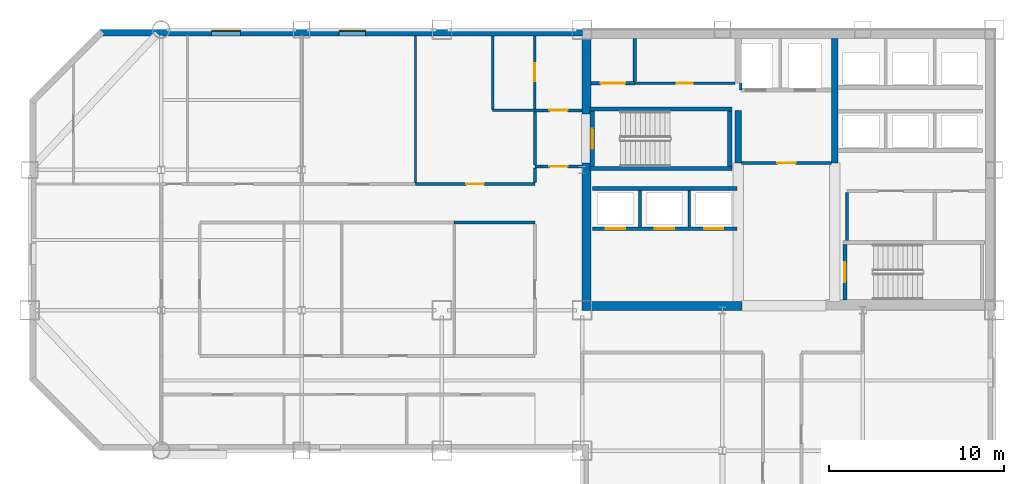
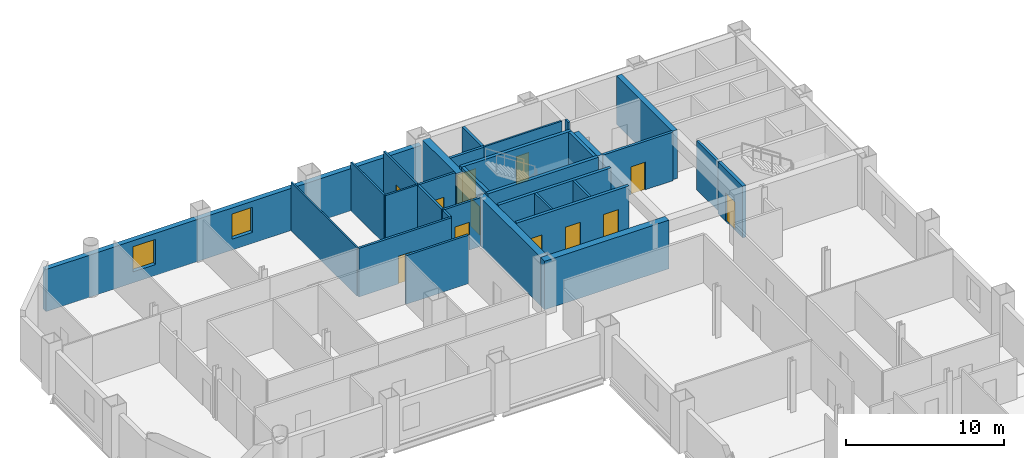
# One storey, part 7 of 10: 31 walls, 12 doors, 2 windows, 14 openings.
"""IFC4 building model written with IfcOpenShell, lengths in metres."""

from ifc_helpers import new_model, si_unit, direction, frame, frame_2d, origin, place, context, subcontext, project, spatial, rectangle, extrude, material, layer, layer_set, type_object, element, fill, save


model = new_model("IFC4")

# Units and contexts
model_context = context("Model", 3, precision=1e-05, world=origin(), true_north=direction((0.0, 1.0)))
body_context = subcontext(model_context, "Body", "Model", "MODEL_VIEW")
ifc_project = project(units=[si_unit("LENGTHUNIT", "METRE"), si_unit("AREAUNIT", "SQUARE_METRE"), si_unit("VOLUMEUNIT", "CUBIC_METRE"), si_unit("PLANEANGLEUNIT", "RADIAN"), si_unit("MASSUNIT", "GRAM", prefix="KILO")], contexts=[model_context])

# Site, building, storey
site_placement = place(None, origin())
site = spatial("IfcSite", under=ifc_project, at=site_placement, CompositionType="ELEMENT")
building_placement = place(site_placement, origin())
building = spatial("IfcBuilding", under=site, at=building_placement, Name="Qianrong Seaharbour Tower", CompositionType="ELEMENT")
storey_placement = place(building_placement, frame((0.0, 0.0, 179.0)))
storey = spatial("IfcBuildingStorey", under=building, at=storey_placement, Name="L43", CompositionType="ELEMENT", Elevation=179.0)

# Walls
ifc_material_1 = material(Name="Concrete C60/75", Category="concrete")
ifc_layer_1 = layer(ifc_material_1, 0.5)
ifc_layer_set_1 = layer_set([ifc_layer_1], Name="Concrete C60/75")
wall_type_1 = type_object("IfcWallType", Name="WALL-CORE-500", PredefinedType="SHEAR", material=ifc_layer_set_1)
wall_1_placement = place(storey_placement, frame((40.75, 36.5, 0.0), z_axis=(0.0, 0.0, 1.0), x_axis=(0.0, 1.0, 0.0)))
element("IfcWall", 1, at=wall_1_placement, inside=storey, type_object=wall_type_1, Name="L43 West Core Shear Wall South", PredefinedType="SHEAR", context=body_context, shape_type="SweptSolid", body=[
    extrude(rectangle(XDim=7.89990234375, YDim=0.5, at=frame_2d((3.949951171875, 0.0))), origin(), (0.0, 0.0, 1.0), 3.764892578125),
])
wall_2_placement = place(storey_placement, frame((40.75, 47.199951171875, 0.0), z_axis=(0.0, 0.0, 1.0), x_axis=(0.0, 1.0, 0.0)))
element("IfcWall", 2, at=wall_2_placement, inside=storey, type_object=wall_type_1, Name="L43 West Core Shear Wall North", PredefinedType="SHEAR", context=body_context, shape_type="SweptSolid", body=[
    extrude(rectangle(XDim=4.300048828125, YDim=0.5, at=frame_2d((2.14990234375, 0.0))), origin(), (0.0, 0.0, 1.0), 3.764892578125),
])
wall_3_placement = place(storey_placement, frame((40.5, 36.25, 0.0), z_axis=(0.0, 0.0, 1.0), x_axis=(1.0, 0.0, 0.0)))
element("IfcWall", 3, at=wall_3_placement, inside=storey, type_object=wall_type_1, Name="L43 South Core Shear Wall S1", PredefinedType="SHEAR", context=body_context, shape_type="SweptSolid", body=[
    extrude(rectangle(XDim=9.10009765625, YDim=0.5, at=frame_2d((4.550048828125, 0.0))), origin(), (0.0, 0.0, 1.0), 3.764892578125),
])
ifc_layer_2 = layer(ifc_material_1, 0.3798828125)
ifc_layer_set_2 = layer_set([ifc_layer_2], Name="Concrete C60/75")
wall_type_2 = type_object("IfcWallType", Name="WALL-CORE-INT-380", PredefinedType="SHEAR", material=ifc_layer_set_2)
wall_4_placement = place(storey_placement, frame((49.39990234375, 44.39990234375, 0.0), z_axis=(0.0, 0.0, 1.0), x_axis=(0.0, 1.0, 0.0)))
element("IfcWall", 4, at=wall_4_placement, inside=storey, type_object=wall_type_2, Name="L43 Internal Core Shear Wall IW1N1", PredefinedType="SHEAR", context=body_context, shape_type="SweptSolid", body=[
    extrude(rectangle(XDim=3.0, YDim=0.3798828125, at=frame_2d((1.5, 0.0))), origin(), (0.0, 0.0, 1.0), 3.764892578125),
])
wall_5_placement = place(storey_placement, frame((54.89990234375, 44.39990234375, 0.0), z_axis=(0.0, 0.0, 1.0), x_axis=(0.0, 1.0, 0.0)))
element("IfcWall", 5, at=wall_5_placement, inside=storey, type_object=wall_type_2, Name="L43 Internal Core Shear Wall IW2N", PredefinedType="SHEAR", context=body_context, shape_type="SweptSolid", body=[
    extrude(rectangle(XDim=7.10009765625, YDim=0.3798828125, at=frame_2d((3.550048828125, 0.0))), origin(), (0.0, 0.0, 1.0), 3.764892578125),
])

# Wall, opening, door
ifc_material_2 = material(Name="Fire-rated acoustic gypsum board partition")
ifc_layer_3 = layer(ifc_material_2, 0.1650390625)
ifc_layer_set_3 = layer_set([ifc_layer_3], Name="Fire-rated acoustic gypsum board partition")
wall_type_3 = type_object("IfcWallType", Name="WALL-CORR-PART-165", PredefinedType="PARTITIONING", material=ifc_layer_set_3)
wall_6_placement = place(storey_placement, frame((37.800048828125, 47.39990234375, 0.0), z_axis=(0.0, 0.0, 1.0), x_axis=(1.0, 0.0, 0.0)))
wall_6 = element("IfcWall", 6, at=wall_6_placement, inside=storey, type_object=wall_type_3, Name="L43 Interior Partition Wall 001", PredefinedType="PARTITIONING", context=body_context, shape_type="SweptSolid", body=[
    extrude(rectangle(XDim=2.699951171875, YDim=0.1650390625, at=frame_2d((1.35009765625, 0.0))), origin(), (0.0, 0.0, 1.0), 3.764892578125),
])
opening_1_placement = place(wall_6_placement, frame((0.824951171875, 0.0, 0.0)))
opening_1 = element("IfcOpeningElement", 7, at=opening_1_placement, cuts=wall_6, Name="Opening DC-01", PredefinedType="OPENING", context=body_context, shape_type="SweptSolid", body=[
    extrude(rectangle(XDim=1.050048828125, YDim=2.14990234375, at=frame_2d((0.52490234375, 1.074951171875))), frame((0.0, 0.092529296875, 0.0), z_axis=(0.0, -1.0, 0.0), x_axis=(1.0, 0.0, 0.0)), (0.0, 0.0, 1.0), 0.18505859375),
])
ifc_material_3 = material(Name="Acoustic timber and galvanized steel fire door assembly", Category="steel")
door_type_1 = type_object("IfcDoorType", Name="DOOR-CORR-FD60-1050x2150", OperationType="NOTDEFINED", PredefinedType="DOOR", material=ifc_material_3)
door_1_placement = place(opening_1_placement, origin())
door_1 = element("IfcDoor", 8, at=door_1_placement, inside=storey, type_object=door_type_1, Name="L43 Smokeproof Stair Vestibule ST-1 Door", OperationType="SINGLE_SWING_LEFT", OverallHeight=2.14990234375, OverallWidth=1.050048828125, PredefinedType="DOOR", context=body_context, shape_type="SweptSolid", body=[
    extrude(rectangle(XDim=1.050048828125, YDim=2.14990234375, at=frame_2d((0.52490234375, 1.074951171875))), frame((0.0, 0.02490234375, 0.0), z_axis=(0.0, -1.0, 0.0), x_axis=(1.0, 0.0, 0.0)), (0.0, 0.0, 1.0), 0.050048828125),
])
fill(opening_1, door_1)

wall_7_placement = place(storey_placement, frame((40.5, 44.199951171875, 0.0), z_axis=(0.0, 0.0, 1.0), x_axis=(-1.0, 0.0, 0.0)))
wall_7 = element("IfcWall", 9, at=wall_7_placement, inside=storey, type_object=wall_type_3, Name="L43 Interior Partition Wall 002", PredefinedType="PARTITIONING", context=body_context, shape_type="SweptSolid", body=[
    extrude(rectangle(XDim=2.699951171875, YDim=0.1650390625, at=frame_2d((1.35009765625, 0.0))), origin(), (0.0, 0.0, 1.0), 3.764892578125),
])
opening_2_placement = place(wall_7_placement, frame((0.824951171875, 0.0, 0.0)))
opening_2 = element("IfcOpeningElement", 10, at=opening_2_placement, cuts=wall_7, Name="Opening DC-01", PredefinedType="OPENING", context=body_context, shape_type="SweptSolid", body=[
    extrude(rectangle(XDim=1.050048828125, YDim=2.14990234375, at=frame_2d((0.52490234375, 1.074951171875))), frame((0.0, 0.092529296875, 0.0), z_axis=(0.0, -1.0, 0.0), x_axis=(1.0, 0.0, 0.0)), (0.0, 0.0, 1.0), 0.18505859375),
])
door_2_placement = place(opening_2_placement, origin())
door_2 = element("IfcDoor", 11, at=door_2_placement, inside=storey, type_object=door_type_1, Name="L43 Smokeproof Stair Vestibule ST-1 Door", OperationType="SINGLE_SWING_RIGHT", OverallHeight=2.14990234375, OverallWidth=1.050048828125, PredefinedType="DOOR", context=body_context, shape_type="SweptSolid", body=[
    extrude(rectangle(XDim=1.050048828125, YDim=2.14990234375, at=frame_2d((0.52490234375, 1.074951171875))), frame((0.0, 0.02490234375, 0.0), z_axis=(0.0, -1.0, 0.0), x_axis=(1.0, 0.0, 0.0)), (0.0, 0.0, 1.0), 0.050048828125),
])
fill(opening_2, door_2)

# Wall
wall_8_placement = place(storey_placement, frame((37.800048828125, 44.2744140625, 0.0), z_axis=(0.0, 0.0, 1.0), x_axis=(0.0, 1.0, 0.0)))
element("IfcWall", 12, at=wall_8_placement, inside=storey, type_object=wall_type_3, Name="L43 Interior Partition Wall 003", PredefinedType="PARTITIONING", context=body_context, shape_type="SweptSolid", body=[
    extrude(rectangle(XDim=3.051025390625, YDim=0.1650390625, at=frame_2d((1.525390625, 0.0))), origin(), (0.0, 0.0, 1.0), 3.764892578125),
])

# Wall, opening, door
wall_9_placement = place(storey_placement, frame((31.0, 43.199951171875, 0.0), z_axis=(0.0, 0.0, 1.0), x_axis=(1.0, 0.0, 0.0)))
wall_9 = element("IfcWall", 13, at=wall_9_placement, inside=storey, type_object=wall_type_3, Name="L43 Interior Partition Wall 026", PredefinedType="PARTITIONING", context=body_context, shape_type="SweptSolid", body=[
    extrude(rectangle(XDim=6.800048828125, YDim=0.1650390625, at=frame_2d((3.39990234375, 0.0))), origin(), (0.0, 0.0, 1.0), 3.764892578125),
])
opening_3_placement = place(wall_9_placement, frame((2.89990234375, 0.0, 0.0)))
opening_3 = element("IfcOpeningElement", 14, at=opening_3_placement, cuts=wall_9, Name="Opening DO-01", PredefinedType="OPENING", context=body_context, shape_type="SweptSolid", body=[
    extrude(rectangle(XDim=1.0, YDim=2.14990234375, at=frame_2d((0.5, 1.074951171875))), frame((0.0, 0.092529296875, 0.0), z_axis=(0.0, -1.0, 0.0), x_axis=(1.0, 0.0, 0.0)), (0.0, 0.0, 1.0), 0.18505859375),
])
door_type_2 = type_object("IfcDoorType", Name="DOOR-OFFICE-1000x2150", OperationType="NOTDEFINED", PredefinedType="DOOR", material=ifc_material_3)
door_3_placement = place(opening_3_placement, origin())
door_3 = element("IfcDoor", 15, at=door_3_placement, inside=storey, type_object=door_type_2, Name="L43 Vessel Model Showroom 5 Door", OperationType="SINGLE_SWING_RIGHT", OverallHeight=2.14990234375, OverallWidth=1.0, PredefinedType="DOOR", context=body_context, shape_type="SweptSolid", body=[
    extrude(rectangle(XDim=1.0, YDim=2.14990234375, at=frame_2d((0.5, 1.074951171875))), frame((0.0, 0.02490234375, 0.0), z_axis=(0.0, -1.0, 0.0), x_axis=(1.0, 0.0, 0.0)), (0.0, 0.0, 1.0), 0.050048828125),
])
fill(opening_3, door_3)

# Walls
wall_10_placement = place(storey_placement, frame((37.800048828125, 41.0, 0.0), z_axis=(0.0, 0.0, 1.0), x_axis=(-1.0, 0.0, 0.0)))
element("IfcWall", 16, at=wall_10_placement, inside=storey, type_object=wall_type_3, Name="L43 Interior Partition Wall 030", PredefinedType="PARTITIONING", context=body_context, shape_type="SweptSolid", body=[
    extrude(rectangle(XDim=4.60009765625, YDim=0.1650390625, at=frame_2d((2.300048828125, 0.0))), origin(), (0.0, 0.0, 1.0), 3.764892578125),
])
wall_11_placement = place(storey_placement, frame((37.800048828125, 43.2744140625, 0.0), z_axis=(0.0, 0.0, 1.0), x_axis=(0.0, 1.0, 0.0)))
element("IfcWall", 17, at=wall_11_placement, inside=storey, type_object=wall_type_3, Name="L43 Interior Partition Wall 034", PredefinedType="PARTITIONING", context=body_context, shape_type="SweptSolid", body=[
    extrude(rectangle(XDim=0.85107421875, YDim=0.1650390625, at=frame_2d((0.425537109375, 0.0))), origin(), (0.0, 0.0, 1.0), 3.764892578125),
])
ifc_material_4 = material(Name="Demountable aluminium-framed acoustic office partition", Category="aluminium")
ifc_layer_4 = layer(ifc_material_4, 0.110107421875)
ifc_layer_set_4 = layer_set([ifc_layer_4], Name="Demountable aluminium-framed acoustic office partition")
wall_type_4 = type_object("IfcWallType", Name="WALL-DEMOUNT-110", PredefinedType="MOVABLE", material=ifc_layer_set_4)
wall_12_placement = place(storey_placement, frame((31.0, 51.64794921875, 0.0), z_axis=(0.0, 0.0, 1.0), x_axis=(0.0, -1.0, 0.0)))
element("IfcWall", 18, at=wall_12_placement, inside=storey, type_object=wall_type_4, Name="L43 Interior Partition Wall 057", PredefinedType="MOVABLE", context=body_context, shape_type="SweptSolid", body=[
    extrude(rectangle(XDim=8.37353515625, YDim=0.110107421875, at=frame_2d((4.186767578125, 0.0))), origin(), (0.0, 0.0, 1.0), 3.764892578125),
])

# Wall, openings, windows
ifc_material_5 = material(Name="Unitised red brick on Precast concrete C45/55", Category="masonry")
ifc_layer_5 = layer(ifc_material_5, 0.360107421875)
ifc_layer_set_5 = layer_set([ifc_layer_5], Name="Unitised red brick on Precast concrete C45/55")
wall_type_5 = type_object("IfcWallType", Name="WALL-EXT-BRICK-RED-360", PredefinedType="SOLIDWALL", material=ifc_layer_set_5)
wall_13_placement = place(storey_placement, frame((13.0, 51.820068359375, 0.0), z_axis=(0.0, 0.0, 1.0), x_axis=(1.0, 0.0, 0.0)))
wall_13 = element("IfcWall", 19, at=wall_13_placement, inside=storey, type_object=wall_type_5, Name="L43 Exterior Masonry Facade Wall NORTH_WING", PredefinedType="SOLIDWALL", context=body_context, shape_type="SweptSolid", body=[
    extrude(rectangle(XDim=27.52001953125, YDim=0.360107421875, at=frame_2d((13.760009765625, 0.0))), origin(), (0.0, 0.0, 1.0), 3.264892578125),
])
opening_4_placement = place(wall_13_placement, frame((6.375, 0.0, 0.85009765625)))
opening_4 = element("IfcOpeningElement", 20, at=opening_4_placement, cuts=wall_13, Name="Opening WN-04", PredefinedType="OPENING", context=body_context, shape_type="SweptSolid", body=[
    extrude(rectangle(XDim=1.64990234375, YDim=1.949951171875, at=frame_2d((0.824951171875, 0.97509765625))), frame((0.0, 0.18994140625, 0.0), z_axis=(0.0, -1.0, 0.0), x_axis=(1.0, 0.0, 0.0)), (0.0, 0.0, 1.0), 0.380126953125),
])
opening_5_placement = place(wall_13_placement, frame((13.64990234375, 0.0, 0.85009765625)))
opening_5 = element("IfcOpeningElement", 21, at=opening_5_placement, cuts=wall_13, Name="Opening WN-03", PredefinedType="OPENING", context=body_context, shape_type="SweptSolid", body=[
    extrude(rectangle(XDim=1.5, YDim=1.949951171875, at=frame_2d((0.75, 0.97509765625))), frame((0.0, 0.18994140625, 0.0), z_axis=(0.0, -1.0, 0.0), x_axis=(1.0, 0.0, 0.0)), (0.0, 0.0, 1.0), 0.380126953125),
])
ifc_material_6 = material(Name="Insulated low-e double glazing in thermally broken aluminium 6063-T6 frame", Category="aluminium")
window_type_1 = type_object("IfcWindowType", Name="WIN-PUNCH-1500x1950", PartitioningType="DOUBLE_PANEL_VERTICAL", PredefinedType="WINDOW", material=ifc_material_6)
window_1_placement = place(opening_5_placement, origin())
window_1 = element("IfcWindow", 22, at=window_1_placement, inside=storey, type_object=window_type_1, Name="L43 Deep-Set Punched Window 05.04", OverallHeight=1.949951171875, OverallWidth=1.5, PartitioningType="DOUBLE_PANEL_VERTICAL", PredefinedType="WINDOW", context=body_context, shape_type="SweptSolid", body=[
    extrude(rectangle(XDim=1.5, YDim=1.949951171875, at=frame_2d((0.75, 0.97509765625))), frame((0.0, 0.150146484375, 0.0), z_axis=(0.0, -1.0, 0.0), x_axis=(1.0, 0.0, 0.0)), (0.0, 0.0, 1.0), 0.06005859375),
])
fill(opening_5, window_1)
window_type_2 = type_object("IfcWindowType", Name="WIN-PUNCH-1650x1950", PartitioningType="DOUBLE_PANEL_VERTICAL", PredefinedType="WINDOW", material=ifc_material_6)
window_2_placement = place(opening_4_placement, origin())
window_2 = element("IfcWindow", 23, at=window_2_placement, inside=storey, type_object=window_type_2, Name="L43 Deep-Set Punched Window 05.02", OverallHeight=1.949951171875, OverallWidth=1.64990234375, PartitioningType="DOUBLE_PANEL_VERTICAL", PredefinedType="WINDOW", context=body_context, shape_type="SweptSolid", body=[
    extrude(rectangle(XDim=1.64990234375, YDim=1.949951171875, at=frame_2d((0.824951171875, 0.97509765625))), frame((0.0, 0.150146484375, 0.0), z_axis=(0.0, -1.0, 0.0), x_axis=(1.0, 0.0, 0.0)), (0.0, 0.0, 1.0), 0.06005859375),
])
fill(opening_4, window_2)

# Wall, opening, door
ifc_material_7 = material(Name="Double fire-rated gypsum board acoustic partition")
ifc_layer_6 = layer(ifc_material_7, 0.18994140625)
ifc_layer_set_6 = layer_set([ifc_layer_6], Name="Double fire-rated gypsum board acoustic partition")
wall_type_6 = type_object("IfcWallType", Name="WALL-FIRE-PART-190", PredefinedType="PARTITIONING", material=ifc_layer_set_6)
wall_14_placement = place(storey_placement, frame((41.0, 48.949951171875, 0.0), z_axis=(0.0, 0.0, 1.0), x_axis=(1.0, 0.0, 0.0)))
wall_14 = element("IfcWall", 24, at=wall_14_placement, inside=storey, type_object=wall_type_6, Name="L43 Interior Partition Wall 007", PredefinedType="PARTITIONING", context=body_context, shape_type="SweptSolid", body=[
    extrude(rectangle(XDim=2.5, YDim=0.18994140625, at=frame_2d((1.25, 0.0))), origin(), (0.0, 0.0, 1.0), 3.764892578125),
])
opening_6_placement = place(wall_14_placement, frame((0.550048828125, 0.0, 0.0)))
opening_6 = element("IfcOpeningElement", 25, at=opening_6_placement, cuts=wall_14, Name="Opening DP-01", PredefinedType="OPENING", context=body_context, shape_type="SweptSolid", body=[
    extrude(rectangle(XDim=1.39990234375, YDim=2.25, at=frame_2d((0.699951171875, 1.125))), frame((0.0, 0.10498046875, 0.0), z_axis=(0.0, -1.0, 0.0), x_axis=(1.0, 0.0, 0.0)), (0.0, 0.0, 1.0), 0.2099609375),
])
door_type_3 = type_object("IfcDoorType", Name="DOOR-PLANT-PAIR-1400x2250", OperationType="DOUBLE_DOOR_SINGLE_SWING", PredefinedType="DOOR", material=ifc_material_3)
door_4_placement = place(opening_6_placement, origin())
door_4 = element("IfcDoor", 26, at=door_4_placement, inside=storey, type_object=door_type_3, Name="L43 Core Electrical Closet Door", OperationType="DOUBLE_DOOR_SINGLE_SWING", OverallHeight=2.25, OverallWidth=1.39990234375, PredefinedType="DOOR", context=body_context, shape_type="SweptSolid", body=[
    extrude(rectangle(XDim=1.39990234375, YDim=2.25, at=frame_2d((0.699951171875, 1.125))), frame((0.0, 0.02490234375, 0.0), z_axis=(0.0, -1.0, 0.0), x_axis=(1.0, 0.0, 0.0)), (0.0, 0.0, 1.0), 0.050048828125),
])
fill(opening_6, door_4)

wall_15_placement = place(storey_placement, frame((54.718017578125, 44.39990234375, 0.0), z_axis=(0.0, 0.0, 1.0), x_axis=(-1.0, 0.0, 0.0)))
wall_15 = element("IfcWall", 27, at=wall_15_placement, inside=storey, type_object=wall_type_6, Name="L43 Interior Partition Wall 009", PredefinedType="PARTITIONING", context=body_context, shape_type="SweptSolid", body=[
    extrude(rectangle(XDim=5.135986328125, YDim=0.18994140625, at=frame_2d((2.56787109375, 0.0))), origin(), (0.0, 0.0, 1.0), 3.764892578125),
])
opening_7_placement = place(wall_15_placement, frame((2.04296875, 0.0, 0.0)))
opening_7 = element("IfcOpeningElement", 28, at=opening_7_placement, cuts=wall_15, Name="Opening DC-01", PredefinedType="OPENING", context=body_context, shape_type="SweptSolid", body=[
    extrude(rectangle(XDim=1.050048828125, YDim=2.14990234375, at=frame_2d((0.52490234375, 1.074951171875))), frame((0.0, 0.10498046875, 0.0), z_axis=(0.0, -1.0, 0.0), x_axis=(1.0, 0.0, 0.0)), (0.0, 0.0, 1.0), 0.2099609375),
])
door_5_placement = place(opening_7_placement, origin())
door_5 = element("IfcDoor", 29, at=door_5_placement, inside=storey, type_object=door_type_1, Name="L43 Firefighting Lift Lobby Door", OperationType="SINGLE_SWING_RIGHT", OverallHeight=2.14990234375, OverallWidth=1.050048828125, PredefinedType="DOOR", context=body_context, shape_type="SweptSolid", body=[
    extrude(rectangle(XDim=1.050048828125, YDim=2.14990234375, at=frame_2d((0.52490234375, 1.074951171875))), frame((0.0, 0.02490234375, 0.0), z_axis=(0.0, -1.0, 0.0), x_axis=(1.0, 0.0, 0.0)), (0.0, 0.0, 1.0), 0.050048828125),
])
fill(opening_7, door_5)

# Walls
wall_16_placement = place(storey_placement, frame((55.60009765625, 42.712890625, 0.0), z_axis=(0.0, 0.0, 1.0), x_axis=(0.0, -1.0, 0.0)))
element("IfcWall", 30, at=wall_16_placement, inside=storey, type_object=wall_type_6, Name="L43 Interior Partition Wall 010", PredefinedType="PARTITIONING", context=body_context, shape_type="SweptSolid", body=[
    extrude(rectangle(XDim=2.73095703125, YDim=0.18994140625, at=frame_2d((1.365478515625, 0.0))), origin(), (0.0, 0.0, 1.0), 3.764892578125),
])
wall_17_placement = place(storey_placement, frame((43.5, 51.5, 0.0), z_axis=(0.0, 0.0, 1.0), x_axis=(0.0, -1.0, 0.0)))
element("IfcWall", 31, at=wall_17_placement, inside=storey, type_object=wall_type_6, Name="L43 Interior Partition Wall 013", PredefinedType="PARTITIONING", context=body_context, shape_type="SweptSolid", body=[
    extrude(rectangle(XDim=2.462890625, YDim=0.18994140625, at=frame_2d((1.2314453125, 0.0))), origin(), (0.0, 0.0, 1.0), 3.764892578125),
])
ifc_material_8 = material(Name="Fire-rated gypsum board on steel studs", Category="steel")
ifc_layer_7 = layer(ifc_material_8, 0.14990234375)
ifc_layer_set_7 = layer_set([ifc_layer_7], Name="Fire-rated gypsum board on steel studs")
wall_type_7 = type_object("IfcWallType", Name="WALL-SHAFT-DIV-150", PredefinedType="PARTITIONING", material=ifc_layer_set_7)
wall_18_placement = place(storey_placement, frame((49.550048828125, 48.550048828125, 0.0), z_axis=(0.0, 0.0, 1.0), x_axis=(0.0, 1.0, 0.0)))
element("IfcWall", 32, at=wall_18_placement, inside=storey, type_object=wall_type_7, Name="L43 Firefighting Lift Shaft West Return Wall", PredefinedType="PARTITIONING", context=body_context, shape_type="SweptSolid", body=[
    extrude(rectangle(XDim=0.39990234375, YDim=0.14990234375, at=frame_2d((0.199951171875, 0.0))), origin(), (0.0, 0.0, 1.0), 3.764892578125),
])
for number, where, z_axis, x_axis, name in (
    (33, (43.800048828125, 40.760009765625, 0.0), (0.0, 0.0, 1.0), (0.0, 1.0, 0.0), "L43 P2 Lift Hoistway Divider 2"),
    (34, (46.60009765625, 40.760009765625, 0.0), (0.0, 0.0, 1.0), (0.0, 1.0, 0.0), "L43 P2 Lift Hoistway Divider 3"),
):
    element("IfcWall", number, at=place(storey_placement, frame(where, z_axis=z_axis, x_axis=x_axis)), inside=storey, type_object=wall_type_7, Name=name, PredefinedType="PARTITIONING", context=body_context, shape_type="SweptSolid", body=[
        extrude(rectangle(XDim=2.080078125, YDim=0.14990234375, at=frame_2d((1.0400390625, 0.0))), origin(), (0.0, 0.0, 1.0), 3.764892578125),
    ])

# Wall, openings, doors
ifc_layer_8 = layer(ifc_material_8, 0.219970703125)
ifc_layer_set_8 = layer_set([ifc_layer_8], Name="Fire-rated gypsum board on steel studs")
wall_type_8 = type_object("IfcWallType", Name="WALL-SHAFT-GYP220", PredefinedType="PARTITIONING", material=ifc_layer_set_8)
wall_19_placement = place(storey_placement, frame((49.320068359375, 40.64990234375, 0.0), z_axis=(0.0, 0.0, 1.0), x_axis=(-1.0, 0.0, 0.0)))
wall_19 = element("IfcWall", 35, at=wall_19_placement, inside=storey, type_object=wall_type_8, Name="L43 P2 Lift Hoistway Front Wall", PredefinedType="PARTITIONING", context=body_context, shape_type="SweptSolid", body=[
    extrude(rectangle(XDim=8.239990234375, YDim=0.219970703125, at=frame_2d((4.1201171875, 0.0))), origin(), (0.0, 0.0, 1.0), 3.764892578125),
])
opening_8_placement = place(wall_19_placement, frame((6.3701171875, 0.0, 0.0)))
opening_8 = element("IfcOpeningElement", 36, at=opening_8_placement, cuts=wall_19, Name="Opening LD-02", PredefinedType="OPENING", context=body_context, shape_type="SweptSolid", body=[
    extrude(rectangle(XDim=1.10009765625, YDim=2.199951171875, at=frame_2d((0.550048828125, 1.10009765625))), frame((0.0, 0.1201171875, 0.0), z_axis=(0.0, -1.0, 0.0), x_axis=(1.0, 0.0, 0.0)), (0.0, 0.0, 1.0), 0.239990234375),
])
opening_9_placement = place(wall_19_placement, frame((3.570068359375, 0.0, 0.0)))
opening_9 = element("IfcOpeningElement", 37, at=opening_9_placement, cuts=wall_19, Name="Opening LD-02", PredefinedType="OPENING", context=body_context, shape_type="SweptSolid", body=[
    extrude(rectangle(XDim=1.10009765625, YDim=2.199951171875, at=frame_2d((0.550048828125, 1.10009765625))), frame((0.0, 0.1201171875, 0.0), z_axis=(0.0, -1.0, 0.0), x_axis=(1.0, 0.0, 0.0)), (0.0, 0.0, 1.0), 0.239990234375),
])
opening_10_placement = place(wall_19_placement, frame((0.77001953125, 0.0, 0.0)))
opening_10 = element("IfcOpeningElement", 38, at=opening_10_placement, cuts=wall_19, Name="Opening LD-02", PredefinedType="OPENING", context=body_context, shape_type="SweptSolid", body=[
    extrude(rectangle(XDim=1.10009765625, YDim=2.199951171875, at=frame_2d((0.550048828125, 1.10009765625))), frame((0.0, 0.1201171875, 0.0), z_axis=(0.0, -1.0, 0.0), x_axis=(1.0, 0.0, 0.0)), (0.0, 0.0, 1.0), 0.239990234375),
])
ifc_material_9 = material(Name="Stainless steel SUS316L bi-parting lift landing door", Category="steel")
door_type_4 = type_object("IfcDoorType", Name="DOOR-LIFT-PASS-1100x2200", OperationType="DOUBLE_DOOR_SLIDING", PredefinedType="DOOR", material=ifc_material_9)
door_6_placement = place(opening_8_placement, origin())
door_6 = element("IfcDoor", 39, at=door_6_placement, inside=storey, type_object=door_type_4, Name="L43 PL-2A Lift Landing Door", OperationType="DOUBLE_DOOR_SLIDING", OverallHeight=2.199951171875, OverallWidth=1.10009765625, PredefinedType="DOOR", context=body_context, shape_type="SweptSolid", body=[
    extrude(rectangle(XDim=1.10009765625, YDim=2.199951171875, at=frame_2d((0.550048828125, 1.10009765625))), frame((0.0, 0.02490234375, 0.0), z_axis=(0.0, -1.0, 0.0), x_axis=(1.0, 0.0, 0.0)), (0.0, 0.0, 1.0), 0.050048828125),
])
fill(opening_8, door_6)
door_7_placement = place(opening_9_placement, origin())
door_7 = element("IfcDoor", 40, at=door_7_placement, inside=storey, type_object=door_type_4, Name="L43 PL-2B Lift Landing Door", OperationType="DOUBLE_DOOR_SLIDING", OverallHeight=2.199951171875, OverallWidth=1.10009765625, PredefinedType="DOOR", context=body_context, shape_type="SweptSolid", body=[
    extrude(rectangle(XDim=1.10009765625, YDim=2.199951171875, at=frame_2d((0.550048828125, 1.10009765625))), frame((0.0, 0.02490234375, 0.0), z_axis=(0.0, -1.0, 0.0), x_axis=(1.0, 0.0, 0.0)), (0.0, 0.0, 1.0), 0.050048828125),
])
fill(opening_9, door_7)
door_8_placement = place(opening_10_placement, origin())
door_8 = element("IfcDoor", 41, at=door_8_placement, inside=storey, type_object=door_type_4, Name="L43 PL-2C Lift Landing Door", OperationType="DOUBLE_DOOR_SLIDING", OverallHeight=2.199951171875, OverallWidth=1.10009765625, PredefinedType="DOOR", context=body_context, shape_type="SweptSolid", body=[
    extrude(rectangle(XDim=1.10009765625, YDim=2.199951171875, at=frame_2d((0.550048828125, 1.10009765625))), frame((0.0, 0.02490234375, 0.0), z_axis=(0.0, -1.0, 0.0), x_axis=(1.0, 0.0, 0.0)), (0.0, 0.0, 1.0), 0.050048828125),
])
fill(opening_10, door_8)

# Walls
wall_20_placement = place(storey_placement, frame((41.080078125, 42.949951171875, 0.0), z_axis=(0.0, 0.0, 1.0), x_axis=(1.0, 0.0, 0.0)))
element("IfcWall", 42, at=wall_20_placement, inside=storey, type_object=wall_type_8, Name="L43 P2 Lift Hoistway Back Wall", PredefinedType="PARTITIONING", context=body_context, shape_type="SweptSolid", body=[
    extrude(rectangle(XDim=8.239990234375, YDim=0.219970703125, at=frame_2d((4.1201171875, 0.0))), origin(), (0.0, 0.0, 1.0), 3.764892578125),
])
ifc_material_10 = material(Name="Concrete C50/60", Category="concrete")
ifc_layer_9 = layer(ifc_material_10, 0.239990234375)
ifc_layer_set_9 = layer_set([ifc_layer_9], Name="Concrete C50/60")
wall_type_9 = type_object("IfcWallType", Name="WALL-SHAFT-RC240", PredefinedType="SOLIDWALL", material=ifc_layer_set_9)
for number, where, z_axis, x_axis, name in (
    (43, (40.9599609375, 47.469970703125, 0.0), (0.0, 0.0, 1.0), (1.0, 0.0, 0.0), "L43 ST-1 Structural Stair Core Wall N"),
    (44, (49.0400390625, 44.080078125, 0.0), (0.0, 0.0, 1.0), (-1.0, 0.0, 0.0), "L43 ST-1 Structural Stair Core Wall S"),
):
    element("IfcWall", number, at=place(storey_placement, frame(where, z_axis=z_axis, x_axis=x_axis)), inside=storey, type_object=wall_type_9, Name=name, PredefinedType="SOLIDWALL", context=body_context, shape_type="SweptSolid", body=[
        extrude(rectangle(XDim=8.080078125, YDim=0.239990234375, at=frame_2d((4.0400390625, 0.0))), origin(), (0.0, 0.0, 1.0), 4.0),
    ])

# Wall, opening, door
wall_21_placement = place(storey_placement, frame((41.080078125, 47.35009765625, 0.0), z_axis=(0.0, 0.0, 1.0), x_axis=(0.0, -1.0, 0.0)))
wall_21 = element("IfcWall", 45, at=wall_21_placement, inside=storey, type_object=wall_type_9, Name="L43 ST-1 Structural Stair Core Wall W", PredefinedType="SOLIDWALL", context=body_context, shape_type="SweptSolid", body=[
    extrude(rectangle(XDim=3.150146484375, YDim=0.239990234375, at=frame_2d((1.5751953125, 0.0))), origin(), (0.0, 0.0, 1.0), 4.0),
])
opening_11_placement = place(wall_21_placement, frame((1.0, 0.0, 0.0)))
opening_11 = element("IfcOpeningElement", 46, at=opening_11_placement, cuts=wall_21, Name="Opening SD-01", PredefinedType="OPENING", context=body_context, shape_type="SweptSolid", body=[
    extrude(rectangle(XDim=1.14990234375, YDim=2.199951171875, at=frame_2d((0.574951171875, 1.10009765625))), frame((0.0, 0.1298828125, 0.0), z_axis=(0.0, -1.0, 0.0), x_axis=(1.0, 0.0, 0.0)), (0.0, 0.0, 1.0), 0.260009765625),
])
door_type_5 = type_object("IfcDoorType", Name="DOOR-STAIR-FD60-1150x2200", OperationType="NOTDEFINED", PredefinedType="DOOR", material=ifc_material_3)
door_9_placement = place(opening_11_placement, origin())
door_9 = element("IfcDoor", 47, at=door_9_placement, inside=storey, type_object=door_type_5, Name="L43 ST-1 Protected Stair Door", OperationType="SINGLE_SWING_RIGHT", OverallHeight=2.199951171875, OverallWidth=1.14990234375, PredefinedType="DOOR", context=body_context, shape_type="SweptSolid", body=[
    extrude(rectangle(XDim=1.14990234375, YDim=2.199951171875, at=frame_2d((0.574951171875, 1.10009765625))), frame((0.0, 0.02490234375, 0.0), z_axis=(0.0, -1.0, 0.0), x_axis=(1.0, 0.0, 0.0)), (0.0, 0.0, 1.0), 0.050048828125),
])
fill(opening_11, door_9)

# Wall
wall_22_placement = place(storey_placement, frame((48.919921875, 44.199951171875, 0.0), z_axis=(0.0, 0.0, 1.0), x_axis=(0.0, 1.0, 0.0)))
element("IfcWall", 48, at=wall_22_placement, inside=storey, type_object=wall_type_9, Name="L43 ST-1 Structural Stair Core Wall E", PredefinedType="SOLIDWALL", context=body_context, shape_type="SweptSolid", body=[
    extrude(rectangle(XDim=3.150146484375, YDim=0.239990234375, at=frame_2d((1.5751953125, 0.0))), origin(), (0.0, 0.0, 1.0), 4.0),
])

# Wall, opening, door
wall_23_placement = place(storey_placement, frame((55.47998046875, 39.75, 0.0), z_axis=(0.0, 0.0, 1.0), x_axis=(0.0, -1.0, 0.0)))
wall_23 = element("IfcWall", 49, at=wall_23_placement, inside=storey, type_object=wall_type_9, Name="L43 ST-2 Structural Stair Core Wall W", PredefinedType="SOLIDWALL", context=body_context, shape_type="SweptSolid", body=[
    extrude(rectangle(XDim=3.14990234375, YDim=0.239990234375, at=frame_2d((1.574951171875, 0.0))), origin(), (0.0, 0.0, 1.0), 4.0),
])
opening_12_placement = place(wall_23_placement, frame((1.0, 0.0, 0.0)))
opening_12 = element("IfcOpeningElement", 50, at=opening_12_placement, cuts=wall_23, Name="Opening SD-01", PredefinedType="OPENING", context=body_context, shape_type="SweptSolid", body=[
    extrude(rectangle(XDim=1.14990234375, YDim=2.199951171875, at=frame_2d((0.574951171875, 1.10009765625))), frame((0.0, 0.1298828125, 0.0), z_axis=(0.0, -1.0, 0.0), x_axis=(1.0, 0.0, 0.0)), (0.0, 0.0, 1.0), 0.260009765625),
])
door_10_placement = place(opening_12_placement, origin())
door_10 = element("IfcDoor", 51, at=door_10_placement, inside=storey, type_object=door_type_5, Name="L43 ST-2 Protected Stair Door", OperationType="SINGLE_SWING_RIGHT", OverallHeight=2.199951171875, OverallWidth=1.14990234375, PredefinedType="DOOR", context=body_context, shape_type="SweptSolid", body=[
    extrude(rectangle(XDim=1.14990234375, YDim=2.199951171875, at=frame_2d((0.574951171875, 1.10009765625))), frame((0.0, 0.02490234375, 0.0), z_axis=(0.0, -1.0, 0.0), x_axis=(1.0, 0.0, 0.0)), (0.0, 0.0, 1.0), 0.050048828125),
])
fill(opening_12, door_10)

ifc_material_11 = material(Name="Water-resistant cement board sanitary partition")
ifc_layer_10 = layer(ifc_material_11, 0.1298828125)
ifc_layer_set_10 = layer_set([ifc_layer_10], Name="Water-resistant cement board sanitary partition")
wall_type_10 = type_object("IfcWallType", Name="WALL-WET-PART-130", PredefinedType="PARTITIONING", material=ifc_layer_set_10)
wall_24_placement = place(storey_placement, frame((37.800048828125, 47.474609375, 0.0), z_axis=(0.0, 0.0, 1.0), x_axis=(0.0, 1.0, 0.0)))
wall_24 = element("IfcWall", 52, at=wall_24_placement, inside=storey, type_object=wall_type_10, Name="L43 Interior Partition Wall 004", PredefinedType="PARTITIONING", context=body_context, shape_type="SweptSolid", body=[
    extrude(rectangle(XDim=4.17333984375, YDim=0.1298828125, at=frame_2d((2.086669921875, 0.0))), origin(), (0.0, 0.0, 1.0), 3.764892578125),
])
opening_13_placement = place(wall_24_placement, frame((1.57666015625, 0.0, 0.0)))
opening_13 = element("IfcOpeningElement", 53, at=opening_13_placement, cuts=wall_24, Name="Opening DAW-01", PredefinedType="OPENING", context=body_context, shape_type="SweptSolid", body=[
    extrude(rectangle(XDim=1.02001953125, YDim=2.14990234375, at=frame_2d((0.510009765625, 1.074951171875))), frame((0.0, 0.074951171875, 0.0), z_axis=(0.0, -1.0, 0.0), x_axis=(1.0, 0.0, 0.0)), (0.0, 0.0, 1.0), 0.14990234375),
])
door_type_6 = type_object("IfcDoorType", Name="DOOR-AWC-SLIDE-1020x2150", OperationType="SLIDING_TO_LEFT", PredefinedType="DOOR", material=ifc_material_3)
door_11_placement = place(opening_13_placement, origin())
door_11 = element("IfcDoor", 54, at=door_11_placement, inside=storey, type_object=door_type_6, Name="L43 Accessible Restroom WC Door", OperationType="SLIDING_TO_LEFT", OverallHeight=2.14990234375, OverallWidth=1.02001953125, PredefinedType="DOOR", context=body_context, shape_type="SweptSolid", body=[
    extrude(rectangle(XDim=1.02001953125, YDim=2.14990234375, at=frame_2d((0.510009765625, 1.074951171875))), frame((0.0, 0.02490234375, 0.0), z_axis=(0.0, -1.0, 0.0), x_axis=(1.0, 0.0, 0.0)), (0.0, 0.0, 1.0), 0.050048828125),
])
fill(opening_13, door_11)

# Walls
wall_25_placement = place(storey_placement, frame((37.800048828125, 47.39990234375, 0.0), z_axis=(0.0, 0.0, 1.0), x_axis=(-1.0, 0.0, 0.0)))
element("IfcWall", 55, at=wall_25_placement, inside=storey, type_object=wall_type_10, Name="L43 Interior Partition Wall 005", PredefinedType="PARTITIONING", context=body_context, shape_type="SweptSolid", body=[
    extrude(rectangle(XDim=2.400146484375, YDim=0.1298828125, at=frame_2d((1.2001953125, 0.0))), origin(), (0.0, 0.0, 1.0), 3.764892578125),
])
wall_26_placement = place(storey_placement, frame((35.39990234375, 47.45703125, 0.0), z_axis=(0.0, 0.0, 1.0), x_axis=(0.0, 1.0, 0.0)))
element("IfcWall", 56, at=wall_26_placement, inside=storey, type_object=wall_type_10, Name="L43 Interior Partition Wall 006", PredefinedType="PARTITIONING", context=body_context, shape_type="SweptSolid", body=[
    extrude(rectangle(XDim=4.19091796875, YDim=0.1298828125, at=frame_2d((2.095458984375, 0.0))), origin(), (0.0, 0.0, 1.0), 3.764892578125),
])

# Wall, opening, door
wall_27_placement = place(storey_placement, frame((43.5, 48.949951171875, 0.0), z_axis=(0.0, 0.0, 1.0), x_axis=(1.0, 0.0, 0.0)))
wall_27 = element("IfcWall", 57, at=wall_27_placement, inside=storey, type_object=wall_type_10, Name="L43 Interior Partition Wall 008", PredefinedType="PARTITIONING", context=body_context, shape_type="SweptSolid", body=[
    extrude(rectangle(XDim=5.718017578125, YDim=0.1298828125, at=frame_2d((2.85888671875, 0.0))), origin(), (0.0, 0.0, 1.0), 3.764892578125),
])
opening_14_placement = place(wall_27_placement, frame((2.39892578125, 0.0, 0.0)))
opening_14 = element("IfcOpeningElement", 58, at=opening_14_placement, cuts=wall_27, Name="Opening DW-01", PredefinedType="OPENING", context=body_context, shape_type="SweptSolid", body=[
    extrude(rectangle(XDim=0.919921875, YDim=2.14990234375, at=frame_2d((0.4599609375, 1.074951171875))), frame((0.0, 0.074951171875, 0.0), z_axis=(0.0, -1.0, 0.0), x_axis=(1.0, 0.0, 0.0)), (0.0, 0.0, 1.0), 0.14990234375),
])
door_type_7 = type_object("IfcDoorType", Name="DOOR-WC-920x2150", OperationType="NOTDEFINED", PredefinedType="DOOR", material=ifc_material_3)
door_12_placement = place(opening_14_placement, origin())
door_12 = element("IfcDoor", 59, at=door_12_placement, inside=storey, type_object=door_type_7, Name="L43 Staff Restroom WC Door", OperationType="SINGLE_SWING_LEFT", OverallHeight=2.14990234375, OverallWidth=0.919921875, PredefinedType="DOOR", context=body_context, shape_type="SweptSolid", body=[
    extrude(rectangle(XDim=0.919921875, YDim=2.14990234375, at=frame_2d((0.4599609375, 1.074951171875))), frame((0.0, 0.02490234375, 0.0), z_axis=(0.0, -1.0, 0.0), x_axis=(1.0, 0.0, 0.0)), (0.0, 0.0, 1.0), 0.050048828125),
])
fill(opening_14, door_12)

save(model, "model.ifc")
